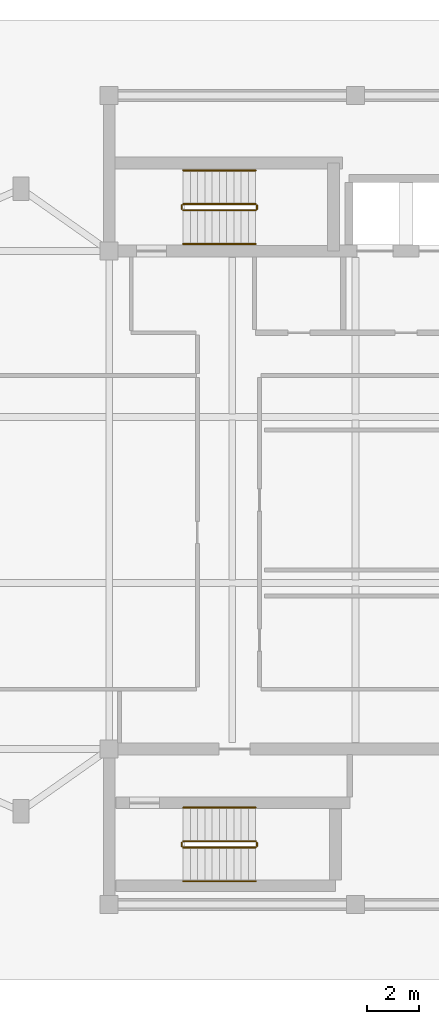
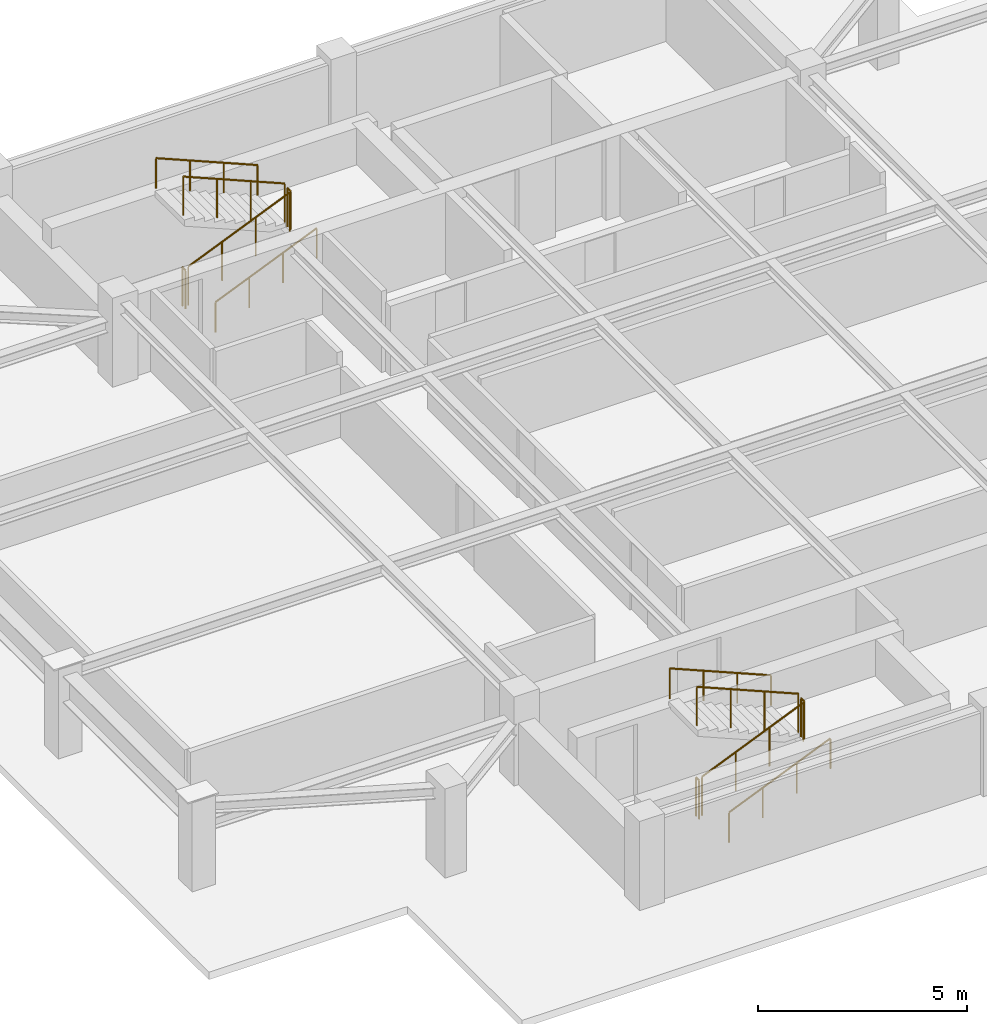
# One storey, part 4 of 4: 12 railings.
"""IFC4 building model written with IfcOpenShell, lengths in metres."""

from ifc_helpers import new_model, si_unit, direction, frame, origin, origin_2d, place, context, subcontext, project, spatial, circle, extrude, material, type_object, element, save


model = new_model("IFC4")

# Units and contexts
model_context = context("Model", 3, precision=1e-05, world=origin(), true_north=direction((0.0, 1.0)))
body_context = subcontext(model_context, "Body", "Model", "MODEL_VIEW")
ifc_project = project(units=[si_unit("LENGTHUNIT", "METRE"), si_unit("AREAUNIT", "SQUARE_METRE"), si_unit("VOLUMEUNIT", "CUBIC_METRE"), si_unit("PLANEANGLEUNIT", "RADIAN"), si_unit("MASSUNIT", "GRAM", prefix="KILO")], contexts=[model_context])

# Site, building, storey
site_placement = place(None, origin())
site = spatial("IfcSite", under=ifc_project, at=site_placement, CompositionType="ELEMENT")
building_placement = place(site_placement, origin())
building = spatial("IfcBuilding", under=site, at=building_placement, Name="Mirazonda Arch Towers", CompositionType="ELEMENT")
storey_placement = place(building_placement, frame((0.0, 0.0, 273.89990234375)))
storey = spatial("IfcBuildingStorey", under=building, at=storey_placement, Name="L79", CompositionType="ELEMENT", Elevation=273.89990234375)

# Railings
ifc_material = material(Name="Architectural Brushed Steel S355", Category="steel")
railing_type_1 = type_object("IfcRailingType", Name="GUARD-STAIR-1120", PredefinedType="GUARDRAIL", material=ifc_material)
railing_1_placement = place(storey_placement, frame((13.85009765625, 39.169921875, 0.1181640625)))
element("IfcRailing", 1, at=railing_1_placement, inside=storey, type_object=railing_type_1, Name="L79 ST-T1N stair guard 1", PredefinedType="GUARDRAIL", context=body_context, shape_type="SweptSolid", body=[
    extrude(circle(Radius=0.02392578125, at=origin_2d()), frame((0.0, 0.0, 1.1259765625), z_axis=(0.921279625293, 0.0, 0.388900825431), x_axis=(0.0, 1.0, 0.0)), (0.0, 0.0, 1.0), 3.0390625),
    extrude(circle(Radius=0.02099609375, at=origin_2d()), origin(), (0.0, 0.0, 1.0), 1.101806640625),
    extrude(circle(Radius=0.02099609375, at=origin_2d()), frame((0.933349609375, 0.0, 0.39404296875)), (0.0, 0.0, 1.0), 1.101806640625),
    extrude(circle(Radius=0.02099609375, at=origin_2d()), frame((1.866455078125, 0.0, 0.787841796875)), (0.0, 0.0, 1.0), 1.101806640625),
    extrude(circle(Radius=0.02099609375, at=origin_2d()), frame((2.7998046875, 0.0, 1.181884765625)), (0.0, 0.0, 1.0), 1.101806640625),
])
railing_2_placement = place(storey_placement, frame((16.699951171875, 39.219970703125, 1.300048828125)))
element("IfcRailing", 2, at=railing_2_placement, inside=storey, type_object=railing_type_1, Name="L79 ST-T1N stair guard 2", PredefinedType="GUARDRAIL", context=body_context, shape_type="SweptSolid", body=[
    extrude(circle(Radius=0.02392578125, at=origin_2d()), frame((0.0, 0.0, 1.1259765625), z_axis=(0.0, 1.0, 0.0), x_axis=(-1.0, 0.0, 0.0)), (0.0, 0.0, 1.0), 0.14013671875),
    extrude(circle(Radius=0.02099609375, at=origin_2d()), origin(), (0.0, 0.0, 1.0), 1.101806640625),
    extrude(circle(Radius=0.02099609375, at=origin_2d()), frame((0.0, 0.14013671875, 0.0)), (0.0, 0.0, 1.0), 1.101806640625),
])
railing_3_placement = place(storey_placement, frame((16.64990234375, 39.409912109375, 1.418212890625)))
element("IfcRailing", 3, at=railing_3_placement, inside=storey, type_object=railing_type_1, Name="L79 ST-T1N stair guard 3", PredefinedType="GUARDRAIL", context=body_context, shape_type="SweptSolid", body=[
    extrude(circle(Radius=0.02392578125, at=origin_2d()), frame((0.0, 0.0, 1.1259765625), z_axis=(-0.921279625293, 0.0, 0.388900825431), x_axis=(0.0, -1.0, 0.0)), (0.0, 0.0, 1.0), 3.0390625),
    extrude(circle(Radius=0.02099609375, at=origin_2d()), origin(), (0.0, 0.0, 1.0), 1.101806640625),
    extrude(circle(Radius=0.02099609375, at=origin_2d()), frame((-0.933349609375, 0.0, 0.39404296875)), (0.0, 0.0, 1.0), 1.101806640625),
    extrude(circle(Radius=0.02099609375, at=origin_2d()), frame((-1.866455078125, 0.0, 0.787841796875)), (0.0, 0.0, 1.0), 1.101806640625),
    extrude(circle(Radius=0.02099609375, at=origin_2d()), frame((-2.7998046875, 0.0, 1.181884765625)), (0.0, 0.0, 1.0), 1.101806640625),
])
railing_4_placement = place(storey_placement, frame((13.800048828125, 39.219970703125, 0.0)))
element("IfcRailing", 4, at=railing_4_placement, inside=storey, type_object=railing_type_1, Name="L79 ST-T1N stair guard 4", PredefinedType="GUARDRAIL", context=body_context, shape_type="SweptSolid", body=[
    extrude(circle(Radius=0.02392578125, at=origin_2d()), frame((0.0, 0.0, 1.1259765625), z_axis=(0.0, 1.0, 0.0), x_axis=(-1.0, 0.0, 0.0)), (0.0, 0.0, 1.0), 0.14013671875),
    extrude(circle(Radius=0.02099609375, at=origin_2d()), origin(), (0.0, 0.0, 1.0), 1.101806640625),
    extrude(circle(Radius=0.02099609375, at=origin_2d()), frame((0.0, 0.14013671875, 0.0)), (0.0, 0.0, 1.0), 1.101806640625),
])
railing_5_placement = place(storey_placement, frame((13.85009765625, 14.60009765625, 0.1181640625)))
element("IfcRailing", 5, at=railing_5_placement, inside=storey, type_object=railing_type_1, Name="L79 ST-T1S stair guard 1", PredefinedType="GUARDRAIL", context=body_context, shape_type="SweptSolid", body=[
    extrude(circle(Radius=0.02392578125, at=origin_2d()), frame((0.0, 0.0, 1.1259765625), z_axis=(0.921279625293, 0.0, 0.388900825431), x_axis=(0.0, 1.0, 0.0)), (0.0, 0.0, 1.0), 3.0390625),
    extrude(circle(Radius=0.02099609375, at=origin_2d()), origin(), (0.0, 0.0, 1.0), 1.101806640625),
    extrude(circle(Radius=0.02099609375, at=origin_2d()), frame((0.933349609375, 0.0, 0.39404296875)), (0.0, 0.0, 1.0), 1.101806640625),
    extrude(circle(Radius=0.02099609375, at=origin_2d()), frame((1.866455078125, 0.0, 0.787841796875)), (0.0, 0.0, 1.0), 1.101806640625),
    extrude(circle(Radius=0.02099609375, at=origin_2d()), frame((2.7998046875, 0.0, 1.181884765625)), (0.0, 0.0, 1.0), 1.101806640625),
])
railing_6_placement = place(storey_placement, frame((16.699951171875, 14.64990234375, 1.300048828125)))
element("IfcRailing", 6, at=railing_6_placement, inside=storey, type_object=railing_type_1, Name="L79 ST-T1S stair guard 2", PredefinedType="GUARDRAIL", context=body_context, shape_type="SweptSolid", body=[
    extrude(circle(Radius=0.02392578125, at=origin_2d()), frame((0.0, 0.0, 1.1259765625), z_axis=(0.0, 1.0, 0.0), x_axis=(-1.0, 0.0, 0.0)), (0.0, 0.0, 1.0), 0.14013671875),
    extrude(circle(Radius=0.02099609375, at=origin_2d()), origin(), (0.0, 0.0, 1.0), 1.101806640625),
    extrude(circle(Radius=0.02099609375, at=origin_2d()), frame((0.0, 0.14013671875, 0.0)), (0.0, 0.0, 1.0), 1.101806640625),
])
railing_7_placement = place(storey_placement, frame((16.64990234375, 14.840087890625, 1.418212890625)))
element("IfcRailing", 7, at=railing_7_placement, inside=storey, type_object=railing_type_1, Name="L79 ST-T1S stair guard 3", PredefinedType="GUARDRAIL", context=body_context, shape_type="SweptSolid", body=[
    extrude(circle(Radius=0.02392578125, at=origin_2d()), frame((0.0, 0.0, 1.1259765625), z_axis=(-0.921279625293, 0.0, 0.388900825431), x_axis=(0.0, -1.0, 0.0)), (0.0, 0.0, 1.0), 3.0390625),
    extrude(circle(Radius=0.02099609375, at=origin_2d()), origin(), (0.0, 0.0, 1.0), 1.101806640625),
    extrude(circle(Radius=0.02099609375, at=origin_2d()), frame((-0.933349609375, 0.0, 0.39404296875)), (0.0, 0.0, 1.0), 1.101806640625),
    extrude(circle(Radius=0.02099609375, at=origin_2d()), frame((-1.866455078125, 0.0, 0.787841796875)), (0.0, 0.0, 1.0), 1.101806640625),
    extrude(circle(Radius=0.02099609375, at=origin_2d()), frame((-2.7998046875, 0.0, 1.181884765625)), (0.0, 0.0, 1.0), 1.101806640625),
])
railing_8_placement = place(storey_placement, frame((13.800048828125, 14.64990234375, 0.0)))
element("IfcRailing", 8, at=railing_8_placement, inside=storey, type_object=railing_type_1, Name="L79 ST-T1S stair guard 4", PredefinedType="GUARDRAIL", context=body_context, shape_type="SweptSolid", body=[
    extrude(circle(Radius=0.02392578125, at=origin_2d()), frame((0.0, 0.0, 1.1259765625), z_axis=(0.0, 1.0, 0.0), x_axis=(-1.0, 0.0, 0.0)), (0.0, 0.0, 1.0), 0.14013671875),
    extrude(circle(Radius=0.02099609375, at=origin_2d()), origin(), (0.0, 0.0, 1.0), 1.101806640625),
    extrude(circle(Radius=0.02099609375, at=origin_2d()), frame((0.0, 0.14013671875, 0.0)), (0.0, 0.0, 1.0), 1.101806640625),
])
railing_type_2 = type_object("IfcRailingType", Name="HANDRAIL-915", PredefinedType="HANDRAIL", material=ifc_material)
railing_9_placement = place(storey_placement, frame((13.85009765625, 37.8701171875, 0.1181640625)))
element("IfcRailing", 9, at=railing_9_placement, inside=storey, type_object=railing_type_2, Name="L79 ST-T1N stair handrail 1", PredefinedType="HANDRAIL", context=body_context, shape_type="SweptSolid", body=[
    extrude(circle(Radius=0.02392578125, at=origin_2d()), frame((0.0, 0.0, 0.8759765625), z_axis=(0.921279625293, 0.0, 0.388900825431), x_axis=(0.0, 1.0, 0.0)), (0.0, 0.0, 1.0), 3.0390625),
    extrude(circle(Radius=0.02099609375, at=origin_2d()), origin(), (0.0, 0.0, 1.0), 0.851806640625),
    extrude(circle(Radius=0.02099609375, at=origin_2d()), frame((0.933349609375, 0.0, 0.39404296875)), (0.0, 0.0, 1.0), 0.851806640625),
    extrude(circle(Radius=0.02099609375, at=origin_2d()), frame((1.866455078125, 0.0, 0.787841796875)), (0.0, 0.0, 1.0), 0.851806640625),
    extrude(circle(Radius=0.02099609375, at=origin_2d()), frame((2.7998046875, 0.0, 1.181884765625)), (0.0, 0.0, 1.0), 0.851806640625),
])
railing_10_placement = place(storey_placement, frame((16.64990234375, 40.7099609375, 1.418212890625)))
element("IfcRailing", 10, at=railing_10_placement, inside=storey, type_object=railing_type_2, Name="L79 ST-T1N stair handrail 2", PredefinedType="HANDRAIL", context=body_context, shape_type="SweptSolid", body=[
    extrude(circle(Radius=0.02392578125, at=origin_2d()), frame((0.0, 0.0, 0.8759765625), z_axis=(-0.921279625293, 0.0, 0.388900825431), x_axis=(0.0, -1.0, 0.0)), (0.0, 0.0, 1.0), 3.0390625),
    extrude(circle(Radius=0.02099609375, at=origin_2d()), origin(), (0.0, 0.0, 1.0), 0.851806640625),
    extrude(circle(Radius=0.02099609375, at=origin_2d()), frame((-0.933349609375, 0.0, 0.39404296875)), (0.0, 0.0, 1.0), 0.851806640625),
    extrude(circle(Radius=0.02099609375, at=origin_2d()), frame((-1.866455078125, 0.0, 0.787841796875)), (0.0, 0.0, 1.0), 0.851806640625),
    extrude(circle(Radius=0.02099609375, at=origin_2d()), frame((-2.7998046875, 0.0, 1.181884765625)), (0.0, 0.0, 1.0), 0.851806640625),
])
railing_11_placement = place(storey_placement, frame((13.85009765625, 13.300048828125, 0.1181640625)))
element("IfcRailing", 11, at=railing_11_placement, inside=storey, type_object=railing_type_2, Name="L79 ST-T1S stair handrail 1", PredefinedType="HANDRAIL", context=body_context, shape_type="SweptSolid", body=[
    extrude(circle(Radius=0.02392578125, at=origin_2d()), frame((0.0, 0.0, 0.8759765625), z_axis=(0.921279625293, 0.0, 0.388900825431), x_axis=(0.0, 1.0, 0.0)), (0.0, 0.0, 1.0), 3.0390625),
    extrude(circle(Radius=0.02099609375, at=origin_2d()), origin(), (0.0, 0.0, 1.0), 0.851806640625),
    extrude(circle(Radius=0.02099609375, at=origin_2d()), frame((0.933349609375, 0.0, 0.39404296875)), (0.0, 0.0, 1.0), 0.851806640625),
    extrude(circle(Radius=0.02099609375, at=origin_2d()), frame((1.866455078125, 0.0, 0.787841796875)), (0.0, 0.0, 1.0), 0.851806640625),
    extrude(circle(Radius=0.02099609375, at=origin_2d()), frame((2.7998046875, 0.0, 1.181884765625)), (0.0, 0.0, 1.0), 0.851806640625),
])
railing_12_placement = place(storey_placement, frame((16.64990234375, 16.139892578125, 1.418212890625)))
element("IfcRailing", 12, at=railing_12_placement, inside=storey, type_object=railing_type_2, Name="L79 ST-T1S stair handrail 2", PredefinedType="HANDRAIL", context=body_context, shape_type="SweptSolid", body=[
    extrude(circle(Radius=0.02392578125, at=origin_2d()), frame((0.0, 0.0, 0.8759765625), z_axis=(-0.921279625293, 0.0, 0.388900825431), x_axis=(0.0, -1.0, 0.0)), (0.0, 0.0, 1.0), 3.0390625),
    extrude(circle(Radius=0.02099609375, at=origin_2d()), origin(), (0.0, 0.0, 1.0), 0.851806640625),
    extrude(circle(Radius=0.02099609375, at=origin_2d()), frame((-0.933349609375, 0.0, 0.39404296875)), (0.0, 0.0, 1.0), 0.851806640625),
    extrude(circle(Radius=0.02099609375, at=origin_2d()), frame((-1.866455078125, 0.0, 0.787841796875)), (0.0, 0.0, 1.0), 0.851806640625),
    extrude(circle(Radius=0.02099609375, at=origin_2d()), frame((-2.7998046875, 0.0, 1.181884765625)), (0.0, 0.0, 1.0), 0.851806640625),
])

save(model, "model.ifc")
